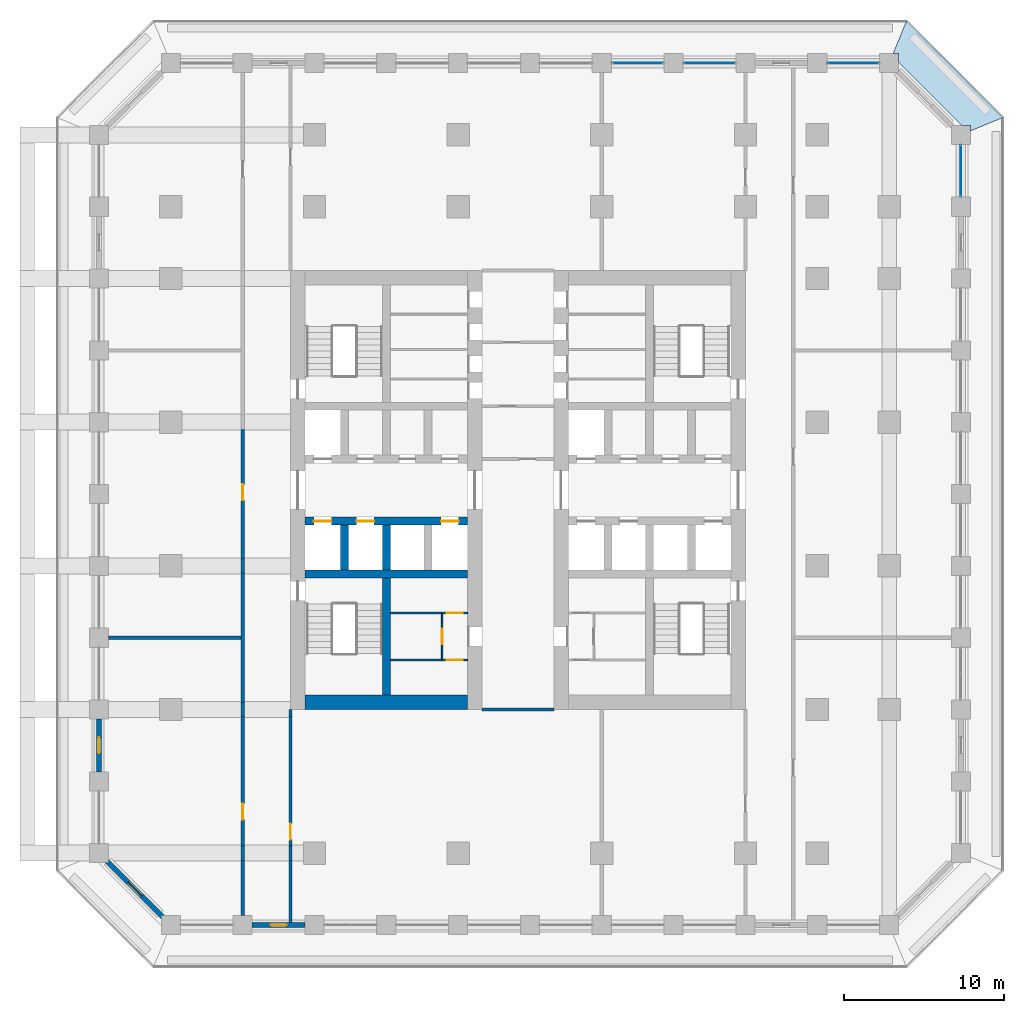
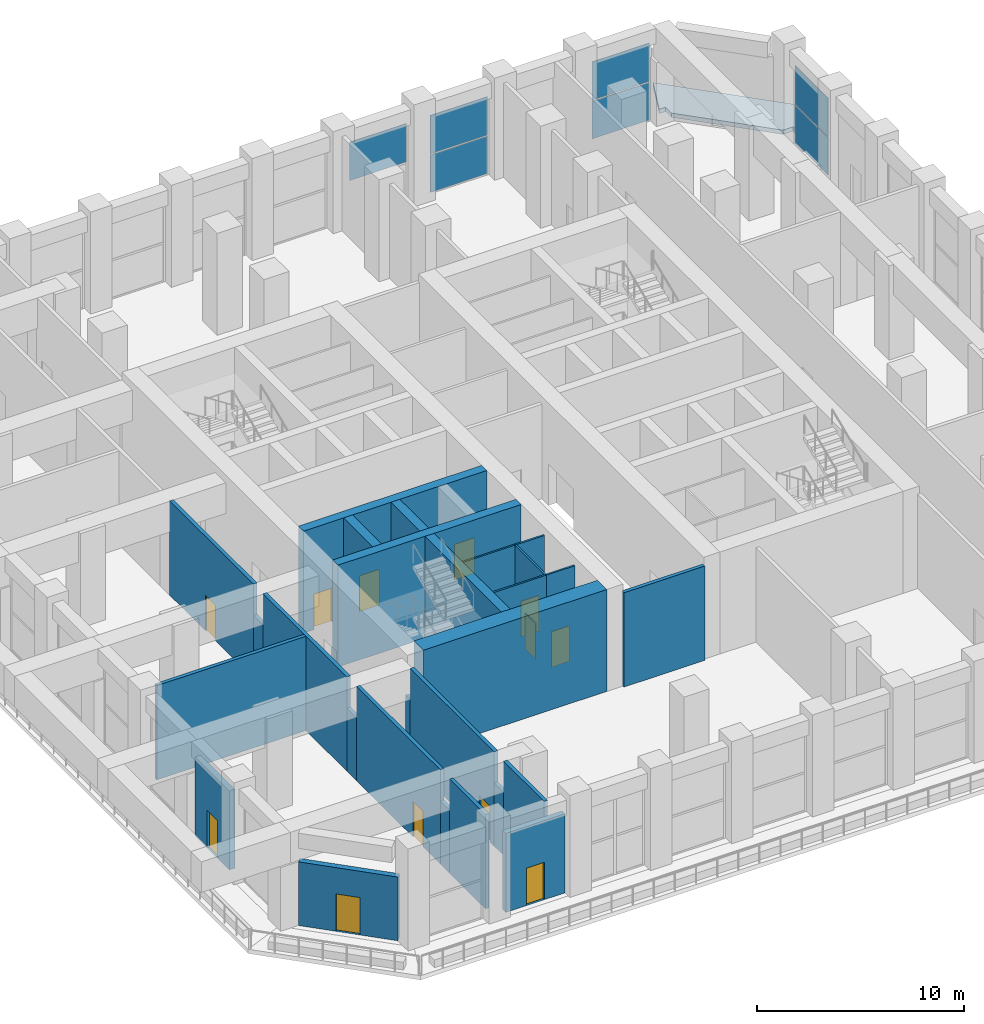
# One storey, part 12 of 24: 27 walls, 12 doors, 7 plates, 1 slab, 12 openings, 4 elements without a shape of their own.
"""IFC4 building model written with IfcOpenShell, lengths in metres."""

from ifc_helpers import new_model, si_unit, direction, frame, frame_2d, origin, origin_2d, place, context, subcontext, project, spatial, polyline, rectangle, outline, extrude, material, layer, layer_set, type_object, element, fill, aggregate, save


model = new_model("IFC4")

# Units and contexts
model_context = context("Model", 3, precision=1e-05, world=origin(), true_north=direction((0.0, 1.0)))
body_context = subcontext(model_context, "Body", "Model", "MODEL_VIEW")
ifc_project = project(units=[si_unit("LENGTHUNIT", "METRE"), si_unit("AREAUNIT", "SQUARE_METRE"), si_unit("VOLUMEUNIT", "CUBIC_METRE"), si_unit("PLANEANGLEUNIT", "RADIAN"), si_unit("MASSUNIT", "GRAM", prefix="KILO")], contexts=[model_context])

# Site, building, storey
site_placement = place(None, origin())
site = spatial("IfcSite", under=ifc_project, at=site_placement, CompositionType="ELEMENT")
building_placement = place(site_placement, origin())
building = spatial("IfcBuilding", under=site, at=building_placement, Name="Corbel Stack Research Tower", CompositionType="ELEMENT")
storey_placement = place(building_placement, frame((0.0, 0.0, 110.699951171875)))
storey = spatial("IfcBuildingStorey", under=building, at=storey_placement, Name="L25", CompositionType="ELEMENT", Elevation=110.699951171875)

# Curtain wall, plates
ifc_material_1 = material(Name="Aluminium frame, clear glass", Category="aluminium")
curtain_wall_type = type_object("IfcCurtainWallType", Name="Amenity floor curtain wall CW2", PredefinedType="NOTDEFINED", material=ifc_material_1)
curtain_wall_1_placement = place(storey_placement, origin())
curtain_wall_1 = element("IfcCurtainWall", 1, at=curtain_wall_1_placement, inside=storey, type_object=curtain_wall_type, Name="Curtain wall CW2 L25 E10", PredefinedType="NOTDEFINED")
ifc_material_2 = material(Name="Clear glass", Category="glass")
ifc_layer_1 = layer(ifc_material_2, 0.028076171875)
ifc_layer_set_1 = layer_set([ifc_layer_1], Name="Clear glass")
plate_type = type_object("IfcPlateType", Name="Clear glazing 28", PredefinedType="CURTAIN_PANEL", material=ifc_layer_set_1)
plate_1_placement = place(storey_placement, frame((31.5, 24.75, 0.06005859375), z_axis=(0.0, 0.0, 1.0), x_axis=(0.0, 1.0, 0.0)))
plate_1 = element("IfcPlate", 2, at=plate_1_placement, type_object=plate_type, Name="CW2 L25 E10 panel 1.1", PredefinedType="CURTAIN_PANEL", context=body_context, shape_type="SweptSolid", body=[
    extrude(rectangle(XDim=3.179931640625, YDim=0.028076171875, at=origin_2d()), origin(), (0.0, 0.0, 1.0), 2.2099609375),
])
plate_2_placement = place(storey_placement, frame((31.5, 24.75, 2.330078125), z_axis=(0.0, 0.0, 1.0), x_axis=(0.0, 1.0, 0.0)))
plate_2 = element("IfcPlate", 3, at=plate_2_placement, type_object=plate_type, Name="CW2 L25 E10 panel 1.2", PredefinedType="CURTAIN_PANEL", context=body_context, shape_type="SweptSolid", body=[
    extrude(rectangle(XDim=3.179931640625, YDim=0.028076171875, at=origin_2d()), origin(), (0.0, 0.0, 1.0), 2.260009765625),
])
aggregate(curtain_wall_1, [plate_1, plate_2])

curtain_wall_2_placement = place(storey_placement, origin())
curtain_wall_2 = element("IfcCurtainWall", 4, at=curtain_wall_2_placement, inside=storey, type_object=curtain_wall_type, Name="Curtain wall CW2 L25 N01", PredefinedType="NOTDEFINED")
plate_3_placement = place(storey_placement, frame((24.75, 31.5, 0.06005859375), z_axis=(0.0, 0.0, 1.0), x_axis=(-1.0, 0.0, 0.0)))
plate_3 = element("IfcPlate", 5, at=plate_3_placement, type_object=plate_type, Name="CW2 L25 N01 panel 1.1", PredefinedType="CURTAIN_PANEL", context=body_context, shape_type="SweptSolid", body=[
    extrude(rectangle(XDim=3.179931640625, YDim=0.028076171875, at=origin_2d()), origin(), (0.0, 0.0, 1.0), 2.2099609375),
])
plate_4_placement = place(storey_placement, frame((24.75, 31.5, 2.330078125), z_axis=(0.0, 0.0, 1.0), x_axis=(-1.0, 0.0, 0.0)))
plate_4 = element("IfcPlate", 6, at=plate_4_placement, type_object=plate_type, Name="CW2 L25 N01 panel 1.2", PredefinedType="CURTAIN_PANEL", context=body_context, shape_type="SweptSolid", body=[
    extrude(rectangle(XDim=3.179931640625, YDim=0.028076171875, at=origin_2d()), origin(), (0.0, 0.0, 1.0), 2.260009765625),
])
aggregate(curtain_wall_2, [plate_3, plate_4])

curtain_wall_3_placement = place(storey_placement, origin())
curtain_wall_3 = element("IfcCurtainWall", 7, at=curtain_wall_3_placement, inside=storey, type_object=curtain_wall_type, Name="Curtain wall CW2 L25 N03", PredefinedType="NOTDEFINED")
plate_5_placement = place(storey_placement, frame((15.75, 31.5, 0.06005859375), z_axis=(0.0, 0.0, 1.0), x_axis=(-1.0, 0.0, 0.0)))
plate_5 = element("IfcPlate", 8, at=plate_5_placement, type_object=plate_type, Name="CW2 L25 N03 panel 1.1", PredefinedType="CURTAIN_PANEL", context=body_context, shape_type="SweptSolid", body=[
    extrude(rectangle(XDim=3.179931640625, YDim=0.028076171875, at=origin_2d()), origin(), (0.0, 0.0, 1.0), 2.2099609375),
])
plate_6_placement = place(storey_placement, frame((15.75, 31.5, 2.330078125), z_axis=(0.0, 0.0, 1.0), x_axis=(-1.0, 0.0, 0.0)))
plate_6 = element("IfcPlate", 9, at=plate_6_placement, type_object=plate_type, Name="CW2 L25 N03 panel 1.2", PredefinedType="CURTAIN_PANEL", context=body_context, shape_type="SweptSolid", body=[
    extrude(rectangle(XDim=3.179931640625, YDim=0.028076171875, at=origin_2d()), origin(), (0.0, 0.0, 1.0), 2.260009765625),
])
aggregate(curtain_wall_3, [plate_5, plate_6])

# Curtain wall, plate
curtain_wall_4_placement = place(storey_placement, origin())
curtain_wall_4 = element("IfcCurtainWall", 10, at=curtain_wall_4_placement, inside=storey, type_object=curtain_wall_type, Name="Curtain wall CW2 L25 N04", PredefinedType="NOTDEFINED")
plate_7_placement = place(storey_placement, frame((11.25, 31.5, 2.330078125), z_axis=(0.0, 0.0, 1.0), x_axis=(-1.0, 0.0, 0.0)))
plate_7 = element("IfcPlate", 11, at=plate_7_placement, type_object=plate_type, Name="CW2 L25 N04 panel 1.2", PredefinedType="CURTAIN_PANEL", context=body_context, shape_type="SweptSolid", body=[
    extrude(rectangle(XDim=3.179931640625, YDim=0.028076171875, at=origin_2d()), origin(), (0.0, 0.0, 1.0), 2.260009765625),
])
aggregate(curtain_wall_4, [plate_7])

# Slab
ifc_material_3 = material(Name="Concrete C45/55", Category="concrete")
ifc_layer_2 = layer(ifc_material_3, 0.25)
ifc_layer_set_2 = layer_set([ifc_layer_2], Name="Concrete C45/55")
slab_type = type_object("IfcSlabType", Name="PT balcony slab 250 C45/55", PredefinedType="FLOOR", material=ifc_layer_set_2)
slab_placement = place(storey_placement, frame((0.0, 0.0, -0.25)))
element("IfcSlab", 12, at=slab_placement, inside=storey, type_object=slab_type, Name="Loggia slab L25 NE", PredefinedType="FLOOR", context=body_context, shape_type="SweptSolid", body=[
    extrude(outline(polyline([(27.24853515625, 32.10009765625), (27.60009765625, 32.10009765625), (27.60009765625, 31.536376953125), (31.536376953125, 27.60009765625), (32.10009765625, 27.60009765625), (32.10009765625, 27.24853515625), (34.199951171875, 28.118408203125), (28.118408203125, 34.199951171875), (27.24853515625, 32.10009765625)])), origin(), (0.0, 0.0, 1.0), 0.25),
])

# Wall
ifc_material_4 = material(Name="Concrete C70/85", Category="concrete")
ifc_layer_3 = layer(ifc_material_4, 0.5)
ifc_layer_set_3 = layer_set([ifc_layer_3], Name="Concrete C70/85")
wall_type_1 = type_object("IfcWallType", Name="CW-500-70", PredefinedType="SHEAR", material=ifc_layer_set_3)
wall_1_placement = place(storey_placement, frame((-9.60009765625, -0.5, 0.0), z_axis=(0.0, 0.0, 1.0), x_axis=(1.0, 0.0, 0.0)))
element("IfcWall", 13, at=wall_1_placement, inside=storey, type_object=wall_type_1, Name="West core wall, south row back L25", PredefinedType="SHEAR", context=body_context, shape_type="SweptSolid", body=[
    extrude(rectangle(XDim=10.2001953125, YDim=0.5, at=frame_2d((5.10009765625, 0.0))), origin(), (0.0, 0.0, 1.0), 6.0),
])

# Wall, openings, doors
wall_2_placement = place(storey_placement, frame((-9.60009765625, 2.800048828125, 0.0), z_axis=(0.0, 0.0, 1.0), x_axis=(1.0, 0.0, 0.0)))
wall_2 = element("IfcWall", 14, at=wall_2_placement, inside=storey, type_object=wall_type_1, Name="West core wall, lobby south L25", PredefinedType="SHEAR", context=body_context, shape_type="SweptSolid", body=[
    extrude(rectangle(XDim=10.2001953125, YDim=0.5, at=frame_2d((5.10009765625, 0.0))), origin(), (0.0, 0.0, 1.0), 6.0),
])
opening_1_placement = place(wall_2_placement, frame((0.5625, 0.0, 0.0)))
opening_1 = element("IfcOpeningElement", 15, at=opening_1_placement, cuts=wall_2, Name="Opening LD-FS1", PredefinedType="OPENING", context=body_context, shape_type="SweptSolid", body=[
    extrude(rectangle(XDim=1.10009765625, YDim=2.10009765625, at=frame_2d((0.550048828125, 1.050048828125))), frame((0.0, 0.260009765625, 0.0), z_axis=(0.0, -1.0, 0.0), x_axis=(1.0, 0.0, 0.0)), (0.0, 0.0, 1.0), 0.52001953125),
])
opening_2_placement = place(wall_2_placement, frame((3.237548828125, 0.0, 0.0)))
opening_2 = element("IfcOpeningElement", 16, at=opening_2_placement, cuts=wall_2, Name="Opening LD-GL1", PredefinedType="OPENING", context=body_context, shape_type="SweptSolid", body=[
    extrude(rectangle(XDim=1.10009765625, YDim=2.10009765625, at=frame_2d((0.550048828125, 1.050048828125))), frame((0.0, 0.260009765625, 0.0), z_axis=(0.0, -1.0, 0.0), x_axis=(1.0, 0.0, 0.0)), (0.0, 0.0, 1.0), 0.52001953125),
])
opening_3_placement = place(wall_2_placement, frame((8.53759765625, 0.0, 0.0)))
opening_3 = element("IfcOpeningElement", 17, at=opening_3_placement, cuts=wall_2, Name="Opening LD-LR1", PredefinedType="OPENING", context=body_context, shape_type="SweptSolid", body=[
    extrude(rectangle(XDim=1.10009765625, YDim=2.10009765625, at=frame_2d((0.550048828125, 1.050048828125))), frame((0.0, 0.260009765625, 0.0), z_axis=(0.0, -1.0, 0.0), x_axis=(1.0, 0.0, 0.0)), (0.0, 0.0, 1.0), 0.52001953125),
])
ifc_material_5 = material(Name="Stainless steel landing door", Category="steel")
door_type_1 = type_object("IfcDoorType", Name="Lift landing door 1100 x 2100", OperationType="DOUBLE_DOOR_SLIDING", PredefinedType="DOOR", material=ifc_material_5)
door_1_placement = place(opening_1_placement, origin())
door_1 = element("IfcDoor", 18, at=door_1_placement, inside=storey, type_object=door_type_1, Name="Landing door FS1", OperationType="DOUBLE_DOOR_SLIDING", OverallHeight=2.10009765625, OverallWidth=1.10009765625, PredefinedType="DOOR", context=body_context, shape_type="SweptSolid", body=[
    extrude(rectangle(XDim=1.10009765625, YDim=2.10009765625, at=frame_2d((0.550048828125, 1.050048828125))), frame((0.0, 0.02490234375, 0.0), z_axis=(0.0, -1.0, 0.0), x_axis=(1.0, 0.0, 0.0)), (0.0, 0.0, 1.0), 0.050048828125),
])
fill(opening_1, door_1)
door_2_placement = place(opening_2_placement, origin())
door_2 = element("IfcDoor", 19, at=door_2_placement, inside=storey, type_object=door_type_1, Name="Landing door GL1", OperationType="DOUBLE_DOOR_SLIDING", OverallHeight=2.10009765625, OverallWidth=1.10009765625, PredefinedType="DOOR", context=body_context, shape_type="SweptSolid", body=[
    extrude(rectangle(XDim=1.10009765625, YDim=2.10009765625, at=frame_2d((0.550048828125, 1.050048828125))), frame((0.0, 0.02490234375, 0.0), z_axis=(0.0, -1.0, 0.0), x_axis=(1.0, 0.0, 0.0)), (0.0, 0.0, 1.0), 0.050048828125),
])
fill(opening_2, door_2)
door_3_placement = place(opening_3_placement, origin())
door_3 = element("IfcDoor", 20, at=door_3_placement, inside=storey, type_object=door_type_1, Name="Landing door LR1", OperationType="DOUBLE_DOOR_SLIDING", OverallHeight=2.10009765625, OverallWidth=1.10009765625, PredefinedType="DOOR", context=body_context, shape_type="SweptSolid", body=[
    extrude(rectangle(XDim=1.10009765625, YDim=2.10009765625, at=frame_2d((0.550048828125, 1.050048828125))), frame((0.0, 0.02490234375, 0.0), z_axis=(0.0, -1.0, 0.0), x_axis=(1.0, 0.0, 0.0)), (0.0, 0.0, 1.0), 0.050048828125),
])
fill(opening_3, door_3)

# Walls
for number, where, z_axis, x_axis, name in (
    (21, (-7.125, -0.25, 0.0), (0.0, 0.0, 1.0), (0.0, 1.0, 0.0), "West core wall, south shaft 1 L25"),
    (22, (-4.5, -0.25, 0.0), (0.0, 0.0, 1.0), (0.0, 1.0, 0.0), "West core wall, south shaft 2 L25"),
):
    element("IfcWall", number, at=place(storey_placement, frame(where, z_axis=z_axis, x_axis=x_axis)), inside=storey, type_object=wall_type_1, Name=name, PredefinedType="SHEAR", context=body_context, shape_type="SweptSolid", body=[
        extrude(rectangle(XDim=2.800048828125, YDim=0.5, at=frame_2d((1.39990234375, 0.0))), origin(), (0.0, 0.0, 1.0), 6.0),
    ])
wall_3_placement = place(storey_placement, frame((-4.5, -8.10009765625, 0.0), z_axis=(0.0, 0.0, 1.0), x_axis=(0.0, 1.0, 0.0)))
element("IfcWall", 23, at=wall_3_placement, inside=storey, type_object=wall_type_1, Name="West core wall, south stair and WC L25", PredefinedType="SHEAR", context=body_context, shape_type="SweptSolid", body=[
    extrude(rectangle(XDim=7.35009765625, YDim=0.5, at=frame_2d((3.675048828125, 0.0))), origin(), (0.0, 0.0, 1.0), 6.0),
])
ifc_material_6 = material(Name="Concrete C70/85", Category="concrete")
ifc_layer_4 = layer(ifc_material_6, 0.89990234375)
ifc_layer_set_4 = layer_set([ifc_layer_4], Name="Concrete C70/85")
wall_type_2 = type_object("IfcWallType", Name="CW-900-70", PredefinedType="SHEAR", material=ifc_layer_set_4)
wall_4_placement = place(storey_placement, frame((-9.60009765625, -8.550048828125, 0.0), z_axis=(0.0, 0.0, 1.0), x_axis=(1.0, 0.0, 0.0)))
element("IfcWall", 24, at=wall_4_placement, inside=storey, type_object=wall_type_2, Name="West core wall, south end L25", PredefinedType="SHEAR", context=body_context, shape_type="SweptSolid", body=[
    extrude(rectangle(XDim=10.2001953125, YDim=0.89990234375, at=frame_2d((5.10009765625, 0.0))), origin(), (0.0, 0.0, 1.0), 6.0),
])

# Wall, opening, door
ifc_material_7 = material(Name="Gypsum board")
ifc_layer_5 = layer(ifc_material_7, 0.10009765625)
ifc_layer_set_5 = layer_set([ifc_layer_5], Name="Gypsum board")
wall_type_3 = type_object("IfcWallType", Name="Core partition 100", PredefinedType="PARTITIONING", material=ifc_layer_set_5)
wall_5_placement = place(storey_placement, frame((-1.0, -5.89501953125, 0.0), z_axis=(0.0, 0.0, 1.0), x_axis=(1.0, 0.0, 0.0)))
wall_5 = element("IfcWall", 25, at=wall_5_placement, inside=storey, type_object=wall_type_3, Name="Core partition W", PredefinedType="PARTITIONING", context=body_context, shape_type="SweptSolid", body=[
    extrude(rectangle(XDim=1.60009765625, YDim=0.10009765625, at=frame_2d((0.800048828125, 0.0))), origin(), (0.0, 0.0, 1.0), 5.550048828125),
])
opening_4_placement = place(wall_5_placement, frame((0.300048828125, 0.0, 0.0)))
opening_4 = element("IfcOpeningElement", 26, at=opening_4_placement, cuts=wall_5, Name="Opening CR-W36-W2-1000", PredefinedType="OPENING", context=body_context, shape_type="SweptSolid", body=[
    extrude(rectangle(XDim=1.0, YDim=2.10009765625, at=frame_2d((0.5, 1.050048828125))), frame((0.0, 0.06005859375, 0.0), z_axis=(0.0, -1.0, 0.0), x_axis=(1.0, 0.0, 0.0)), (0.0, 0.0, 1.0), 0.1201171875),
])
ifc_material_8 = material(Name="Painted timber door", Category="wood")
door_type_2 = type_object("IfcDoorType", Name="WC door 1000 x 2100 right hand", OperationType="SINGLE_SWING_RIGHT", PredefinedType="DOOR", material=ifc_material_8)
door_4_placement = place(opening_4_placement, origin())
door_4 = element("IfcDoor", 27, at=door_4_placement, inside=storey, type_object=door_type_2, Name="Men's WC door W core", OperationType="SINGLE_SWING_RIGHT", OverallHeight=2.10009765625, OverallWidth=1.0, PredefinedType="DOOR", context=body_context, shape_type="SweptSolid", body=[
    extrude(rectangle(XDim=1.0, YDim=2.10009765625, at=frame_2d((0.5, 1.050048828125))), frame((0.0, 0.02490234375, 0.0), z_axis=(0.0, -1.0, 0.0), x_axis=(1.0, 0.0, 0.0)), (0.0, 0.0, 1.0), 0.050048828125),
])
fill(opening_4, door_4)

wall_6_placement = place(storey_placement, frame((-1.0, -2.955078125, 0.0), z_axis=(0.0, 0.0, 1.0), x_axis=(1.0, 0.0, 0.0)))
wall_6 = element("IfcWall", 28, at=wall_6_placement, inside=storey, type_object=wall_type_3, Name="Core partition W", PredefinedType="PARTITIONING", context=body_context, shape_type="SweptSolid", body=[
    extrude(rectangle(XDim=1.60009765625, YDim=0.10009765625, at=frame_2d((0.800048828125, 0.0))), origin(), (0.0, 0.0, 1.0), 5.550048828125),
])
opening_5_placement = place(wall_6_placement, frame((0.300048828125, 0.0, 0.0)))
opening_5 = element("IfcOpeningElement", 29, at=opening_5_placement, cuts=wall_6, Name="Opening CR-W36-W3-1000", PredefinedType="OPENING", context=body_context, shape_type="SweptSolid", body=[
    extrude(rectangle(XDim=1.0, YDim=2.10009765625, at=frame_2d((0.5, 1.050048828125))), frame((0.0, 0.06005859375, 0.0), z_axis=(0.0, -1.0, 0.0), x_axis=(1.0, 0.0, 0.0)), (0.0, 0.0, 1.0), 0.1201171875),
])
ifc_material_9 = material(Name="Painted timber door", Category="wood")
door_type_3 = type_object("IfcDoorType", Name="WC door 1000 x 2100 left hand", OperationType="SINGLE_SWING_LEFT", PredefinedType="DOOR", material=ifc_material_9)
door_5_placement = place(opening_5_placement, origin())
door_5 = element("IfcDoor", 30, at=door_5_placement, inside=storey, type_object=door_type_3, Name="Women's WC door W core", OperationType="SINGLE_SWING_LEFT", OverallHeight=2.10009765625, OverallWidth=1.0, PredefinedType="DOOR", context=body_context, shape_type="SweptSolid", body=[
    extrude(rectangle(XDim=1.0, YDim=2.10009765625, at=frame_2d((0.5, 1.050048828125))), frame((0.0, 0.02490234375, 0.0), z_axis=(0.0, -1.0, 0.0), x_axis=(1.0, 0.0, 0.0)), (0.0, 0.0, 1.0), 0.050048828125),
])
fill(opening_5, door_5)

wall_7_placement = place(storey_placement, frame((-1.0, -5.89501953125, 0.0), z_axis=(0.0, 0.0, 1.0), x_axis=(0.0, 1.0, 0.0)))
wall_7 = element("IfcWall", 31, at=wall_7_placement, inside=storey, type_object=wall_type_3, Name="Core partition W", PredefinedType="PARTITIONING", context=body_context, shape_type="SweptSolid", body=[
    extrude(rectangle(XDim=2.93994140625, YDim=0.10009765625, at=frame_2d((1.469970703125, 0.0))), origin(), (0.0, 0.0, 1.0), 5.550048828125),
])
opening_6_placement = place(wall_7_placement, frame((0.969970703125, 0.0, 0.0)))
opening_6 = element("IfcOpeningElement", 32, at=opening_6_placement, cuts=wall_7, Name="Opening CR-W36-W4-1000", PredefinedType="OPENING", context=body_context, shape_type="SweptSolid", body=[
    extrude(rectangle(XDim=1.0, YDim=2.10009765625, at=frame_2d((0.5, 1.050048828125))), frame((0.0, 0.06005859375, 0.0), z_axis=(0.0, -1.0, 0.0), x_axis=(1.0, 0.0, 0.0)), (0.0, 0.0, 1.0), 0.1201171875),
])
door_6_placement = place(opening_6_placement, origin())
door_6 = element("IfcDoor", 33, at=door_6_placement, inside=storey, type_object=door_type_2, Name="Accessible WC door W core", OperationType="SINGLE_SWING_RIGHT", OverallHeight=2.10009765625, OverallWidth=1.0, PredefinedType="DOOR", context=body_context, shape_type="SweptSolid", body=[
    extrude(rectangle(XDim=1.0, YDim=2.10009765625, at=frame_2d((0.5, 1.050048828125))), frame((0.0, 0.02490234375, 0.0), z_axis=(0.0, -1.0, 0.0), x_axis=(1.0, 0.0, 0.0)), (0.0, 0.0, 1.0), 0.050048828125),
])
fill(opening_6, door_6)

# Walls
for number, where, z_axis, x_axis, name in (
    (34, (-4.25, -5.89501953125, 0.0), (0.0, 0.0, 1.0), (1.0, 0.0, 0.0), "Core partition W"),
    (35, (-4.25, -2.955078125, 0.0), (0.0, 0.0, 1.0), (1.0, 0.0, 0.0), "Core partition W"),
):
    element("IfcWall", number, at=place(storey_placement, frame(where, z_axis=z_axis, x_axis=x_axis)), inside=storey, type_object=wall_type_3, Name=name, PredefinedType="PARTITIONING", context=body_context, shape_type="SweptSolid", body=[
        extrude(rectangle(XDim=3.25, YDim=0.10009765625, at=frame_2d((1.625, 0.0))), origin(), (0.0, 0.0, 1.0), 5.550048828125),
    ])
ifc_material_10 = material(Name="Fire-rated gypsum board partition on steel studs", Category="steel")
ifc_layer_6 = layer(ifc_material_10, 0.199951171875)
ifc_layer_set_6 = layer_set([ifc_layer_6], Name="Fire-rated gypsum board partition on steel studs")
wall_type_4 = type_object("IfcWallType", Name="Fire-rated partition 200 EI 60", PredefinedType="PARTITIONING", material=ifc_layer_set_6)
wall_8_placement = place(storey_placement, frame((-13.5, -21.89990234375, 0.0), z_axis=(0.0, 0.0, 1.0), x_axis=(0.0, 1.0, 0.0)))
element("IfcWall", 36, at=wall_8_placement, inside=storey, type_object=wall_type_4, Name="Partition L25-001", PredefinedType="PARTITIONING", context=body_context, shape_type="SweptSolid", body=[
    extrude(rectangle(XDim=3.449951171875, YDim=0.199951171875, at=frame_2d((1.72509765625, 0.0))), origin(), (0.0, 0.0, 1.0), 5.550048828125),
])
wall_9_placement = place(storey_placement, frame((-13.5, -18.449951171875, 0.0), z_axis=(0.0, 0.0, 1.0), x_axis=(0.0, 1.0, 0.0)))
element("IfcWall", 37, at=wall_9_placement, inside=storey, type_object=wall_type_4, Name="Partition L25-002", PredefinedType="PARTITIONING", context=body_context, shape_type="SweptSolid", body=[
    extrude(rectangle(XDim=0.89990234375, YDim=0.199951171875, at=frame_2d((0.449951171875, 0.0))), origin(), (0.0, 0.0, 1.0), 3.719970703125),
])

# Wall, opening, door
wall_10_placement = place(storey_placement, frame((-13.5, -17.550048828125, 0.0), z_axis=(0.0, 0.0, 1.0), x_axis=(0.0, 1.0, 0.0)))
wall_10 = element("IfcWall", 38, at=wall_10_placement, inside=storey, type_object=wall_type_4, Name="Partition L25-003", PredefinedType="PARTITIONING", context=body_context, shape_type="SweptSolid", body=[
    extrude(rectangle(XDim=8.10009765625, YDim=0.199951171875, at=frame_2d((4.050048828125, 0.0))), origin(), (0.0, 0.0, 1.0), 5.550048828125),
])
opening_7_placement = place(wall_10_placement, frame((1.64990234375, 0.0, 0.0)))
opening_7 = element("IfcOpeningElement", 39, at=opening_7_placement, cuts=wall_10, Name="Opening B3AM-001", PredefinedType="OPENING", context=body_context, shape_type="SweptSolid", body=[
    extrude(rectangle(XDim=1.0, YDim=2.10009765625, at=frame_2d((0.5, 1.050048828125))), frame((0.0, 0.10986328125, 0.0), z_axis=(0.0, -1.0, 0.0), x_axis=(1.0, 0.0, 0.0)), (0.0, 0.0, 1.0), 0.219970703125),
])
ifc_material_11 = material(Name="Painted steel fire door", Category="steel")
door_type_4 = type_object("IfcDoorType", Name="Fire door FD30S 1000 x 2100", OperationType="NOTDEFINED", PredefinedType="DOOR", material=ifc_material_11)
door_7_placement = place(opening_7_placement, origin())
door_7 = element("IfcDoor", 40, at=door_7_placement, inside=storey, type_object=door_type_4, Name="Door B3AM-001", OperationType="SINGLE_SWING_LEFT", OverallHeight=2.10009765625, OverallWidth=1.0, PredefinedType="DOOR", context=body_context, shape_type="SweptSolid", body=[
    extrude(rectangle(XDim=1.0, YDim=2.10009765625, at=frame_2d((0.5, 1.050048828125))), frame((0.0, 0.02490234375, 0.0), z_axis=(0.0, -1.0, 0.0), x_axis=(1.0, 0.0, 0.0)), (0.0, 0.0, 1.0), 0.050048828125),
])
fill(opening_7, door_7)

# Walls
wall_11_placement = place(storey_placement, frame((-13.5, -9.449951171875, 0.0), z_axis=(0.0, 0.0, 1.0), x_axis=(0.0, 1.0, 0.0)))
element("IfcWall", 41, at=wall_11_placement, inside=storey, type_object=wall_type_4, Name="Partition L25-004", PredefinedType="PARTITIONING", context=body_context, shape_type="SweptSolid", body=[
    extrude(rectangle(XDim=0.89990234375, YDim=0.199951171875, at=frame_2d((0.449951171875, 0.0))), origin(), (0.0, 0.0, 1.0), 3.719970703125),
])
wall_12_placement = place(storey_placement, frame((-13.5, -8.550048828125, 0.0), z_axis=(0.0, 0.0, 1.0), x_axis=(0.0, 1.0, 0.0)))
element("IfcWall", 42, at=wall_12_placement, inside=storey, type_object=wall_type_4, Name="Partition L25-005", PredefinedType="PARTITIONING", context=body_context, shape_type="SweptSolid", body=[
    extrude(rectangle(XDim=8.10009765625, YDim=0.199951171875, at=frame_2d((4.050048828125, 0.0))), origin(), (0.0, 0.0, 1.0), 5.550048828125),
])
wall_13_placement = place(storey_placement, frame((-13.5, -0.449951171875, 0.0), z_axis=(0.0, 0.0, 1.0), x_axis=(0.0, 1.0, 0.0)))
element("IfcWall", 43, at=wall_13_placement, inside=storey, type_object=wall_type_4, Name="Partition L25-006", PredefinedType="PARTITIONING", context=body_context, shape_type="SweptSolid", body=[
    extrude(rectangle(XDim=0.89990234375, YDim=0.199951171875, at=frame_2d((0.449951171875, 0.0))), origin(), (0.0, 0.0, 1.0), 3.719970703125),
])

# Wall, opening, door
wall_14_placement = place(storey_placement, frame((-13.5, 0.449951171875, 0.0), z_axis=(0.0, 0.0, 1.0), x_axis=(0.0, 1.0, 0.0)))
wall_14 = element("IfcWall", 44, at=wall_14_placement, inside=storey, type_object=wall_type_4, Name="Partition L25-007", PredefinedType="PARTITIONING", context=body_context, shape_type="SweptSolid", body=[
    extrude(rectangle(XDim=8.10009765625, YDim=0.199951171875, at=frame_2d((4.050048828125, 0.0))), origin(), (0.0, 0.0, 1.0), 5.550048828125),
])
opening_8_placement = place(wall_14_placement, frame((3.64990234375, 0.0, 0.0)))
opening_8 = element("IfcOpeningElement", 45, at=opening_8_placement, cuts=wall_14, Name="Opening B3AM-002", PredefinedType="OPENING", context=body_context, shape_type="SweptSolid", body=[
    extrude(rectangle(XDim=1.0, YDim=2.10009765625, at=frame_2d((0.5, 1.050048828125))), frame((0.0, 0.10986328125, 0.0), z_axis=(0.0, -1.0, 0.0), x_axis=(1.0, 0.0, 0.0)), (0.0, 0.0, 1.0), 0.219970703125),
])
door_8_placement = place(opening_8_placement, origin())
door_8 = element("IfcDoor", 46, at=door_8_placement, inside=storey, type_object=door_type_4, Name="Door B3AM-002", OperationType="SINGLE_SWING_RIGHT", OverallHeight=2.10009765625, OverallWidth=1.0, PredefinedType="DOOR", context=body_context, shape_type="SweptSolid", body=[
    extrude(rectangle(XDim=1.0, YDim=2.10009765625, at=frame_2d((0.5, 1.050048828125))), frame((0.0, 0.02490234375, 0.0), z_axis=(0.0, -1.0, 0.0), x_axis=(1.0, 0.0, 0.0)), (0.0, 0.0, 1.0), 0.050048828125),
])
fill(opening_8, door_8)

# Walls
wall_15_placement = place(storey_placement, frame((-10.5, -22.35009765625, 0.0), z_axis=(0.0, 0.0, 1.0), x_axis=(0.0, 1.0, 0.0)))
element("IfcWall", 47, at=wall_15_placement, inside=storey, type_object=wall_type_4, Name="Partition L25-014", PredefinedType="PARTITIONING", context=body_context, shape_type="SweptSolid", body=[
    extrude(rectangle(XDim=3.900146484375, YDim=0.199951171875, at=frame_2d((1.9501953125, 0.0))), origin(), (0.0, 0.0, 1.0), 5.550048828125),
])
wall_16_placement = place(storey_placement, frame((-10.5, -18.449951171875, 0.0), z_axis=(0.0, 0.0, 1.0), x_axis=(0.0, 1.0, 0.0)))
element("IfcWall", 48, at=wall_16_placement, inside=storey, type_object=wall_type_4, Name="Partition L25-015", PredefinedType="PARTITIONING", context=body_context, shape_type="SweptSolid", body=[
    extrude(rectangle(XDim=0.89990234375, YDim=0.199951171875, at=frame_2d((0.449951171875, 0.0))), origin(), (0.0, 0.0, 1.0), 3.719970703125),
])

# Wall, opening, door
wall_17_placement = place(storey_placement, frame((-10.5, -9.449951171875, 0.0), z_axis=(0.0, 0.0, 1.0), x_axis=(0.0, -1.0, 0.0)))
wall_17 = element("IfcWall", 49, at=wall_17_placement, inside=storey, type_object=wall_type_4, Name="Partition L25-016", PredefinedType="PARTITIONING", context=body_context, shape_type="SweptSolid", body=[
    extrude(rectangle(XDim=8.10009765625, YDim=0.199951171875, at=frame_2d((4.050048828125, 0.0))), origin(), (0.0, 0.0, 1.0), 5.550048828125),
])
opening_9_placement = place(wall_17_placement, frame((6.699951171875, 0.0, 0.0)))
opening_9 = element("IfcOpeningElement", 50, at=opening_9_placement, cuts=wall_17, Name="Opening B3AM-004", PredefinedType="OPENING", context=body_context, shape_type="SweptSolid", body=[
    extrude(rectangle(XDim=1.0, YDim=2.10009765625, at=frame_2d((0.5, 1.050048828125))), frame((0.0, 0.10986328125, 0.0), z_axis=(0.0, -1.0, 0.0), x_axis=(1.0, 0.0, 0.0)), (0.0, 0.0, 1.0), 0.219970703125),
])
door_9_placement = place(opening_9_placement, origin())
door_9 = element("IfcDoor", 51, at=door_9_placement, inside=storey, type_object=door_type_4, Name="Door B3AM-004", OperationType="SINGLE_SWING_RIGHT", OverallHeight=2.10009765625, OverallWidth=1.0, PredefinedType="DOOR", context=body_context, shape_type="SweptSolid", body=[
    extrude(rectangle(XDim=1.0, YDim=2.10009765625, at=frame_2d((0.5, 1.050048828125))), frame((0.0, 0.02490234375, 0.0), z_axis=(0.0, -1.0, 0.0), x_axis=(1.0, 0.0, 0.0)), (0.0, 0.0, 1.0), 0.050048828125),
])
fill(opening_9, door_9)

# Walls
wall_18_placement = place(storey_placement, frame((-10.5, -9.449951171875, 0.0), z_axis=(0.0, 0.0, 1.0), x_axis=(0.0, 1.0, 0.0)))
element("IfcWall", 52, at=wall_18_placement, inside=storey, type_object=wall_type_4, Name="Partition L25-017", PredefinedType="PARTITIONING", context=body_context, shape_type="SweptSolid", body=[
    extrude(rectangle(XDim=0.449951171875, YDim=0.199951171875, at=frame_2d((0.22509765625, 0.0))), origin(), (0.0, 0.0, 1.0), 3.719970703125),
])
wall_19_placement = place(storey_placement, frame((1.5, -9.0, 0.0), z_axis=(0.0, 0.0, 1.0), x_axis=(1.0, 0.0, 0.0)))
element("IfcWall", 53, at=wall_19_placement, inside=storey, type_object=wall_type_4, Name="Partition L25-032", PredefinedType="PARTITIONING", context=body_context, shape_type="SweptSolid", body=[
    extrude(rectangle(XDim=4.5, YDim=0.199951171875, at=frame_2d((2.25, 0.0))), origin(), (0.0, 0.0, 1.0), 5.550048828125),
])
wall_20_placement = place(storey_placement, frame((-21.89990234375, -4.5, 0.0), z_axis=(0.0, 0.0, 1.0), x_axis=(1.0, 0.0, 0.0)))
element("IfcWall", 54, at=wall_20_placement, inside=storey, type_object=wall_type_4, Name="Partition L25-033", PredefinedType="PARTITIONING", context=body_context, shape_type="SweptSolid", body=[
    extrude(rectangle(XDim=8.39990234375, YDim=0.199951171875, at=frame_2d((4.199951171875, 0.0))), origin(), (0.0, 0.0, 1.0), 5.550048828125),
])

# Wall, opening, door
ifc_material_12 = material(Name="Concrete C45/55", Category="concrete")
ifc_layer_7 = layer(ifc_material_12, 0.300048828125)
ifc_layer_set_7 = layer_set([ifc_layer_7], Name="Concrete C45/55")
wall_type_5 = type_object("IfcWallType", Name="Terracotta-faced concrete wall 300", PredefinedType="SOLIDWALL", material=ifc_layer_set_7)
wall_21_placement = place(storey_placement, frame((-9.60009765625, -22.5, 0.0), z_axis=(0.0, 0.0, 1.0), x_axis=(-1.0, 0.0, 0.0)))
wall_21 = element("IfcWall", 55, at=wall_21_placement, inside=storey, type_object=wall_type_5, Name="Facade wall L25 S02", PredefinedType="SOLIDWALL", context=body_context, shape_type="SweptSolid", body=[
    extrude(rectangle(XDim=3.2998046875, YDim=0.300048828125, at=frame_2d((1.64990234375, 0.0))), origin(), (0.0, 0.0, 1.0), 4.650146484375),
])
opening_10_placement = place(wall_21_placement, frame((1.14990234375, 0.0, 0.0)))
opening_10 = element("IfcOpeningElement", 56, at=opening_10_placement, cuts=wall_21, Name="Opening L25-B01", PredefinedType="OPENING", context=body_context, shape_type="SweptSolid", body=[
    extrude(rectangle(XDim=1.0, YDim=2.199951171875, at=frame_2d((0.5, 1.10009765625))), frame((0.0, 0.159912109375, 0.0), z_axis=(0.0, -1.0, 0.0), x_axis=(1.0, 0.0, 0.0)), (0.0, 0.0, 1.0), 0.320068359375),
])
ifc_material_13 = material(Name="Aluminium frame, clear double glazing", Category="aluminium")
door_type_5 = type_object("IfcDoorType", Name="Balcony door BD1 1000 x 2200", OperationType="NOTDEFINED", PredefinedType="DOOR", material=ifc_material_13)
door_10_placement = place(opening_10_placement, origin())
door_10 = element("IfcDoor", 57, at=door_10_placement, inside=storey, type_object=door_type_5, Name="Balcony door L25-B01", OperationType="SINGLE_SWING_LEFT", OverallHeight=2.199951171875, OverallWidth=1.0, PredefinedType="DOOR", context=body_context, shape_type="SweptSolid", body=[
    extrude(rectangle(XDim=1.0, YDim=2.199951171875, at=frame_2d((0.5, 1.10009765625))), frame((0.0, 0.02490234375, 0.0), z_axis=(0.0, -1.0, 0.0), x_axis=(1.0, 0.0, 0.0)), (0.0, 0.0, 1.0), 0.050048828125),
])
fill(opening_10, door_10)

wall_22_placement = place(storey_placement, frame((-22.5, -12.89990234375, 0.0), z_axis=(0.0, 0.0, 1.0), x_axis=(0.0, 1.0, 0.0)))
wall_22 = element("IfcWall", 58, at=wall_22_placement, inside=storey, type_object=wall_type_5, Name="Facade wall L25 W09", PredefinedType="SOLIDWALL", context=body_context, shape_type="SweptSolid", body=[
    extrude(rectangle(XDim=3.2998046875, YDim=0.300048828125, at=frame_2d((1.64990234375, 0.0))), origin(), (0.0, 0.0, 1.0), 4.650146484375),
])
opening_11_placement = place(wall_22_placement, frame((1.14990234375, 0.0, 0.0)))
opening_11 = element("IfcOpeningElement", 59, at=opening_11_placement, cuts=wall_22, Name="Opening L25-B11", PredefinedType="OPENING", context=body_context, shape_type="SweptSolid", body=[
    extrude(rectangle(XDim=1.0, YDim=2.199951171875, at=frame_2d((0.5, 1.10009765625))), frame((0.0, 0.159912109375, 0.0), z_axis=(0.0, -1.0, 0.0), x_axis=(1.0, 0.0, 0.0)), (0.0, 0.0, 1.0), 0.320068359375),
])
door_11_placement = place(opening_11_placement, origin())
door_11 = element("IfcDoor", 60, at=door_11_placement, inside=storey, type_object=door_type_5, Name="Balcony door L25-B11", OperationType="SINGLE_SWING_RIGHT", OverallHeight=2.199951171875, OverallWidth=1.0, PredefinedType="DOOR", context=body_context, shape_type="SweptSolid", body=[
    extrude(rectangle(XDim=1.0, YDim=2.199951171875, at=frame_2d((0.5, 1.10009765625))), frame((0.0, 0.02490234375, 0.0), z_axis=(0.0, -1.0, 0.0), x_axis=(1.0, 0.0, 0.0)), (0.0, 0.0, 1.0), 0.050048828125),
])
fill(opening_11, door_11)

wall_23_placement = place(storey_placement, frame((-18.493896484375, -22.006103515625, 0.0), z_axis=(0.0, 0.0, 1.0), x_axis=(-0.707106781187, 0.707106781187, 0.0)))
wall_23 = element("IfcWall", 61, at=wall_23_placement, inside=storey, type_object=wall_type_5, Name="Facade wall L25 SW01", PredefinedType="SOLIDWALL", context=body_context, shape_type="SweptSolid", body=[
    extrude(rectangle(XDim=4.967041015625, YDim=0.300048828125, at=frame_2d((2.4833984375, 0.0))), origin(), (0.0, 0.0, 1.0), 3.75),
])
opening_12_placement = place(wall_23_placement, frame((1.883544921875, 0.0, 0.0)))
opening_12 = element("IfcOpeningElement", 62, at=opening_12_placement, cuts=wall_23, Name="Opening L25-B12", PredefinedType="OPENING", context=body_context, shape_type="SweptSolid", body=[
    extrude(rectangle(XDim=1.199951171875, YDim=2.199951171875, at=frame_2d((0.60009765625, 1.10009765625))), frame((0.0, 0.159912109375, 0.0), z_axis=(0.0, -1.0, 0.0), x_axis=(1.0, 0.0, 0.0)), (0.0, 0.0, 1.0), 0.320068359375),
])
ifc_material_14 = material(Name="Aluminium frame, clear double glazing", Category="aluminium")
door_type_6 = type_object("IfcDoorType", Name="Balcony door BD2 1200 x 2200", OperationType="NOTDEFINED", PredefinedType="DOOR", material=ifc_material_14)
door_12_placement = place(opening_12_placement, origin())
door_12 = element("IfcDoor", 63, at=door_12_placement, inside=storey, type_object=door_type_6, Name="Balcony door L25-B12", OperationType="SINGLE_SWING_RIGHT", OverallHeight=2.199951171875, OverallWidth=1.199951171875, PredefinedType="DOOR", context=body_context, shape_type="SweptSolid", body=[
    extrude(rectangle(XDim=1.199951171875, YDim=2.199951171875, at=frame_2d((0.60009765625, 1.10009765625))), frame((0.0, 0.02490234375, 0.0), z_axis=(0.0, -1.0, 0.0), x_axis=(1.0, 0.0, 0.0)), (0.0, 0.0, 1.0), 0.050048828125),
])
fill(opening_12, door_12)

save(model, "model.ifc")
